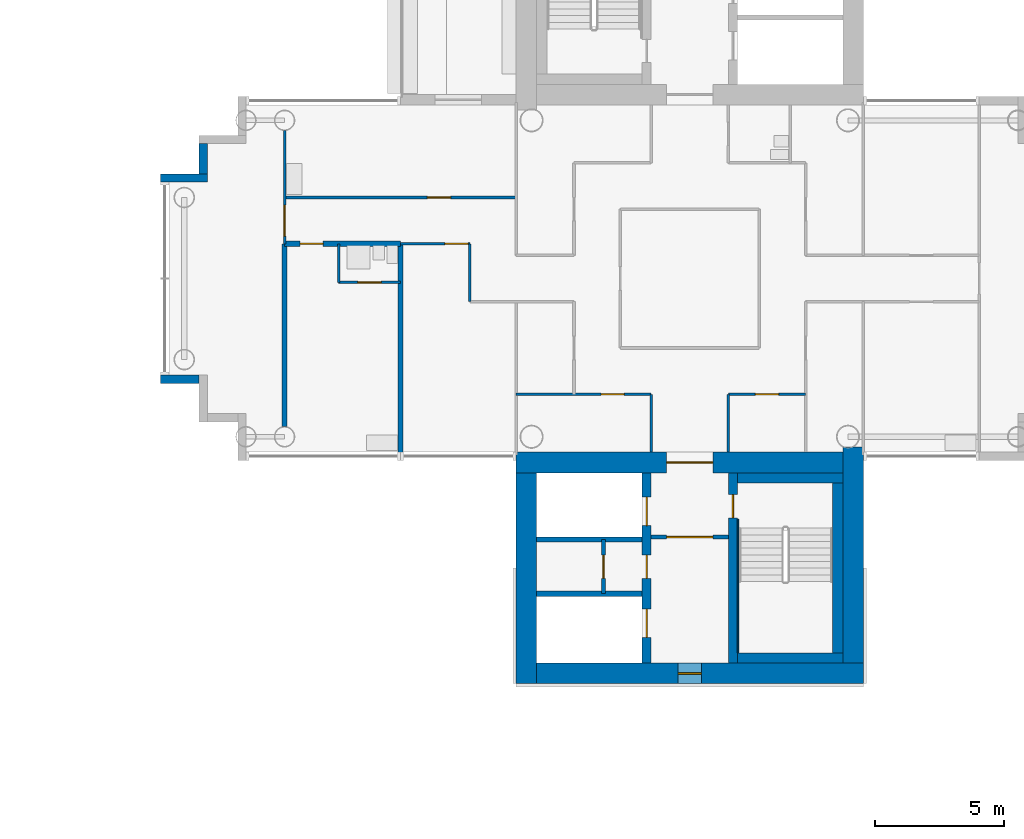
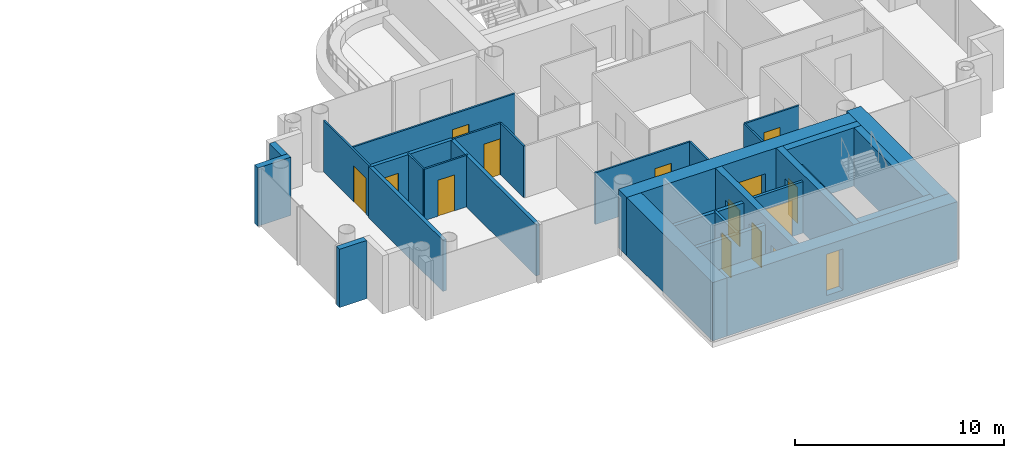
# One storey, part 10 of 19: 30 walls, 14 doors, 1 window, 15 openings.
"""IFC4 building model written with IfcOpenShell, lengths in metres."""

from ifc_helpers import new_model, si_unit, direction, frame, frame_2d, origin, place, context, subcontext, project, spatial, rectangle, extrude, material, layer, layer_set, type_object, element, fill, save


model = new_model("IFC4")

# Units and contexts
model_context = context("Model", 3, precision=1e-05, world=origin(), true_north=direction((0.0, 1.0)))
body_context = subcontext(model_context, "Body", "Model", "MODEL_VIEW")
ifc_project = project(units=[si_unit("LENGTHUNIT", "METRE"), si_unit("AREAUNIT", "SQUARE_METRE"), si_unit("VOLUMEUNIT", "CUBIC_METRE"), si_unit("PLANEANGLEUNIT", "RADIAN"), si_unit("MASSUNIT", "GRAM", prefix="KILO")], contexts=[model_context])

# Site, building, storey
site_placement = place(None, origin())
site = spatial("IfcSite", under=ifc_project, at=site_placement, CompositionType="ELEMENT")
building_placement = place(site_placement, origin())
building = spatial("IfcBuilding", under=site, at=building_placement, Name="Ipe Terrace Towers", CompositionType="ELEMENT")
storey_placement = place(building_placement, frame((0.0, 0.0, 140.5)))
storey = spatial("IfcBuildingStorey", under=building, at=storey_placement, Name="L38", CompositionType="ELEMENT", Elevation=140.5)

# Walls
ifc_material_1 = material(Name="Concrete C40/50 with buff precast cladding", Category="concrete")
ifc_layer_1 = layer(ifc_material_1, 0.320068359375)
ifc_layer_set_1 = layer_set([ifc_layer_1], Name="BUFF CLADDING WALL 320")
wall_type_1 = type_object("IfcWallType", Name="BUFF CLADDING WALL 320", PredefinedType="STANDARD", material=ifc_layer_set_1)
wall_1_placement = place(storey_placement, frame((17.090087890625, 5.25, -0.300048828125), z_axis=(0.0, 0.0, 1.0), x_axis=(0.0, -1.0, 0.0)))
element("IfcWall", 1, at=wall_1_placement, inside=storey, type_object=wall_type_1, Name="T2-W-L38-32a wall", PredefinedType="STANDARD", context=body_context, shape_type="SweptSolid", body=[
    extrude(rectangle(XDim=1.179931640625, YDim=0.320068359375, at=frame_2d((0.58984375, 0.0))), origin(), (0.0, 0.0, 1.0), 3.400146484375),
])
wall_2_placement = place(storey_placement, frame((17.25, 3.909912109375, -0.300048828125), z_axis=(0.0, 0.0, 1.0), x_axis=(-1.0, 0.0, 0.0)))
element("IfcWall", 2, at=wall_2_placement, inside=storey, type_object=wall_type_1, Name="T2-W-L38-33a wall", PredefinedType="STANDARD", context=body_context, shape_type="SweptSolid", body=[
    extrude(rectangle(XDim=1.820068359375, YDim=0.320068359375, at=frame_2d((0.91015625, 0.0))), origin(), (0.0, 0.0, 1.0), 3.400146484375),
])
wall_3_placement = place(storey_placement, frame((15.429931640625, -3.909912109375, -0.300048828125), z_axis=(0.0, 0.0, 1.0), x_axis=(1.0, 0.0, 0.0)))
element("IfcWall", 3, at=wall_3_placement, inside=storey, type_object=wall_type_1, Name="T2-W-L38-35a wall", PredefinedType="STANDARD", context=body_context, shape_type="SweptSolid", body=[
    extrude(rectangle(XDim=1.5, YDim=0.320068359375, at=frame_2d((0.75, 0.0))), origin(), (0.0, 0.0, 1.0), 3.400146484375),
])

# Wall, opening, door
ifc_material_2 = material(Name="Gypsum board partition", Category="plasterboard")
ifc_layer_2 = layer(ifc_material_2, 0.10009765625)
ifc_layer_set_2 = layer_set([ifc_layer_2], Name="Gypsum board partition 100 mm")
wall_type_2 = type_object("IfcWallType", Name="Gypsum board partition 100 mm", PredefinedType="PARTITIONING", material=ifc_layer_set_2)
wall_4_placement = place(storey_placement, frame((40.5, -4.5, 0.0), z_axis=(0.0, 0.0, 1.0), x_axis=(-1.0, 0.0, 0.0)))
wall_4 = element("IfcWall", 4, at=wall_4_placement, inside=storey, type_object=wall_type_2, Name="Gypsum board partition T2 L38 W01", PredefinedType="PARTITIONING", context=body_context, shape_type="SweptSolid", body=[
    extrude(rectangle(XDim=3.0, YDim=0.10009765625, at=frame_2d((1.5, 0.0))), origin(), (0.0, 0.0, 1.0), 3.0),
])
opening_1_placement = place(wall_4_placement, frame((1.050048828125, 0.0, 0.0)))
opening_1 = element("IfcOpeningElement", 5, at=opening_1_placement, cuts=wall_4, Name="Opening T2-Z3A-07", PredefinedType="OPENING", context=body_context, shape_type="SweptSolid", body=[
    extrude(rectangle(XDim=0.89990234375, YDim=2.10009765625, at=frame_2d((0.449951171875, 1.050048828125))), frame((0.0, 0.06005859375, 0.0), z_axis=(0.0, -1.0, 0.0), x_axis=(1.0, 0.0, 0.0)), (0.0, 0.0, 1.0), 0.1201171875),
])
ifc_material_3 = material(Name="Timber door leaf", Category="wood")
door_type_1 = type_object("IfcDoorType", Name="Lounge door 900 x 2100", OperationType="NOTDEFINED", PredefinedType="DOOR", material=ifc_material_3)
door_1_placement = place(opening_1_placement, origin())
door_1 = element("IfcDoor", 6, at=door_1_placement, inside=storey, type_object=door_type_1, Name="Lounge door T2-Z3A-07", OperationType="SINGLE_SWING_LEFT", OverallHeight=2.10009765625, OverallWidth=0.89990234375, PredefinedType="DOOR", context=body_context, shape_type="SweptSolid", body=[
    extrude(rectangle(XDim=0.89990234375, YDim=2.10009765625, at=frame_2d((0.449951171875, 1.050048828125))), frame((0.0, 0.02490234375, 0.0), z_axis=(0.0, -1.0, 0.0), x_axis=(1.0, 0.0, 0.0)), (0.0, 0.0, 1.0), 0.050048828125),
])
fill(opening_1, door_1)

wall_5_placement = place(storey_placement, frame((34.5, -4.5, 0.0), z_axis=(0.0, 0.0, 1.0), x_axis=(-1.0, 0.0, 0.0)))
wall_5 = element("IfcWall", 7, at=wall_5_placement, inside=storey, type_object=wall_type_2, Name="Gypsum board partition T2 L38 W02", PredefinedType="PARTITIONING", context=body_context, shape_type="SweptSolid", body=[
    extrude(rectangle(XDim=5.25, YDim=0.10009765625, at=frame_2d((2.625, 0.0))), origin(), (0.0, 0.0, 1.0), 3.0),
])
opening_2_placement = place(wall_5_placement, frame((1.050048828125, 0.0, 0.0)))
opening_2 = element("IfcOpeningElement", 8, at=opening_2_placement, cuts=wall_5, Name="Opening T2-Z3A-05", PredefinedType="OPENING", context=body_context, shape_type="SweptSolid", body=[
    extrude(rectangle(XDim=0.89990234375, YDim=2.10009765625, at=frame_2d((0.449951171875, 1.050048828125))), frame((0.0, 0.06005859375, 0.0), z_axis=(0.0, -1.0, 0.0), x_axis=(1.0, 0.0, 0.0)), (0.0, 0.0, 1.0), 0.1201171875),
])
door_2_placement = place(opening_2_placement, origin())
door_2 = element("IfcDoor", 9, at=door_2_placement, inside=storey, type_object=door_type_1, Name="Lounge door T2-Z3A-05", OperationType="SINGLE_SWING_RIGHT", OverallHeight=2.10009765625, OverallWidth=0.89990234375, PredefinedType="DOOR", context=body_context, shape_type="SweptSolid", body=[
    extrude(rectangle(XDim=0.89990234375, YDim=2.10009765625, at=frame_2d((0.449951171875, 1.050048828125))), frame((0.0, 0.02490234375, 0.0), z_axis=(0.0, -1.0, 0.0), x_axis=(1.0, 0.0, 0.0)), (0.0, 0.0, 1.0), 0.050048828125),
])
fill(opening_2, door_2)

wall_6_placement = place(storey_placement, frame((24.75, -0.14990234375, 0.0), z_axis=(0.0, 0.0, 1.0), x_axis=(-1.0, 0.0, 0.0)))
wall_6 = element("IfcWall", 10, at=wall_6_placement, inside=storey, type_object=wall_type_2, Name="Gypsum board partition T2 L38 W06", PredefinedType="PARTITIONING", context=body_context, shape_type="SweptSolid", body=[
    extrude(rectangle(XDim=2.39990234375, YDim=0.10009765625, at=frame_2d((1.199951171875, 0.0))), origin(), (0.0, 0.0, 1.0), 3.0),
])
opening_3_placement = place(wall_6_placement, frame((0.75, 0.0, 0.0)))
opening_3 = element("IfcOpeningElement", 11, at=opening_3_placement, cuts=wall_6, Name="Opening T2-Z3A-11", PredefinedType="OPENING", context=body_context, shape_type="SweptSolid", body=[
    extrude(rectangle(XDim=0.89990234375, YDim=2.10009765625, at=frame_2d((0.449951171875, 1.050048828125))), frame((0.0, 0.06005859375, 0.0), z_axis=(0.0, -1.0, 0.0), x_axis=(1.0, 0.0, 0.0)), (0.0, 0.0, 1.0), 0.1201171875),
])
ifc_material_4 = material(Name="Timber door leaf", Category="wood")
door_type_2 = type_object("IfcDoorType", Name="Bathroom door 900 x 2100", OperationType="NOTDEFINED", PredefinedType="DOOR", material=ifc_material_4)
door_3_placement = place(opening_3_placement, origin())
door_3 = element("IfcDoor", 12, at=door_3_placement, inside=storey, type_object=door_type_2, Name="Bathroom door T2-Z3A-11", OperationType="SINGLE_SWING_LEFT", OverallHeight=2.10009765625, OverallWidth=0.89990234375, PredefinedType="DOOR", context=body_context, shape_type="SweptSolid", body=[
    extrude(rectangle(XDim=0.89990234375, YDim=2.10009765625, at=frame_2d((0.449951171875, 1.050048828125))), frame((0.0, 0.02490234375, 0.0), z_axis=(0.0, -1.0, 0.0), x_axis=(1.0, 0.0, 0.0)), (0.0, 0.0, 1.0), 0.050048828125),
])
fill(opening_3, door_3)

wall_7_placement = place(storey_placement, frame((27.449951171875, 1.35009765625, 0.0), z_axis=(0.0, 0.0, 1.0), x_axis=(-1.0, 0.0, 0.0)))
wall_7 = element("IfcWall", 13, at=wall_7_placement, inside=storey, type_object=wall_type_2, Name="Gypsum board partition T2 L38 W09", PredefinedType="PARTITIONING", context=body_context, shape_type="SweptSolid", body=[
    extrude(rectangle(XDim=2.699951171875, YDim=0.10009765625, at=frame_2d((1.35009765625, 0.0))), origin(), (0.0, 0.0, 1.0), 3.0),
])
opening_4_placement = place(wall_7_placement, frame((0.070068359375, 0.0, 0.0)))
opening_4 = element("IfcOpeningElement", 14, at=opening_4_placement, cuts=wall_7, Name="Opening T2-Z3A-09", PredefinedType="OPENING", context=body_context, shape_type="SweptSolid", body=[
    extrude(rectangle(XDim=0.89990234375, YDim=2.10009765625, at=frame_2d((0.449951171875, 1.050048828125))), frame((0.0, 0.06005859375, 0.0), z_axis=(0.0, -1.0, 0.0), x_axis=(1.0, 0.0, 0.0)), (0.0, 0.0, 1.0), 0.1201171875),
])
door_4_placement = place(opening_4_placement, origin())
door_4 = element("IfcDoor", 15, at=door_4_placement, inside=storey, type_object=door_type_1, Name="Lounge door T2-Z3A-09", OperationType="SINGLE_SWING_RIGHT", OverallHeight=2.10009765625, OverallWidth=0.89990234375, PredefinedType="DOOR", context=body_context, shape_type="SweptSolid", body=[
    extrude(rectangle(XDim=0.89990234375, YDim=2.10009765625, at=frame_2d((0.449951171875, 1.050048828125))), frame((0.0, 0.02490234375, 0.0), z_axis=(0.0, -1.0, 0.0), x_axis=(1.0, 0.0, 0.0)), (0.0, 0.0, 1.0), 0.050048828125),
])
fill(opening_4, door_4)

wall_8_placement = place(storey_placement, frame((29.25, 3.14990234375, 0.0), z_axis=(0.0, 0.0, 1.0), x_axis=(-1.0, 0.0, 0.0)))
wall_8 = element("IfcWall", 16, at=wall_8_placement, inside=storey, type_object=wall_type_2, Name="Gypsum board partition T2 L38 W12", PredefinedType="PARTITIONING", context=body_context, shape_type="SweptSolid", body=[
    extrude(rectangle(XDim=9.0, YDim=0.10009765625, at=frame_2d((4.5, 0.0))), origin(), (0.0, 0.0, 1.0), 3.0),
])
opening_5_placement = place(wall_8_placement, frame((2.550048828125, 0.0, 0.0)))
opening_5 = element("IfcOpeningElement", 17, at=opening_5_placement, cuts=wall_8, Name="Opening T2-Z3A-12", PredefinedType="OPENING", context=body_context, shape_type="SweptSolid", body=[
    extrude(rectangle(XDim=0.89990234375, YDim=2.10009765625, at=frame_2d((0.449951171875, 1.050048828125))), frame((0.0, 0.06005859375, 0.0), z_axis=(0.0, -1.0, 0.0), x_axis=(1.0, 0.0, 0.0)), (0.0, 0.0, 1.0), 0.1201171875),
])
door_5_placement = place(opening_5_placement, origin())
door_5 = element("IfcDoor", 18, at=door_5_placement, inside=storey, type_object=door_type_1, Name="Lounge door T2-Z3A-12", OperationType="SINGLE_SWING_LEFT", OverallHeight=2.10009765625, OverallWidth=0.89990234375, PredefinedType="DOOR", context=body_context, shape_type="SweptSolid", body=[
    extrude(rectangle(XDim=0.89990234375, YDim=2.10009765625, at=frame_2d((0.449951171875, 1.050048828125))), frame((0.0, 0.02490234375, 0.0), z_axis=(0.0, -1.0, 0.0), x_axis=(1.0, 0.0, 0.0)), (0.0, 0.0, 1.0), 0.050048828125),
])
fill(opening_5, door_5)

# Walls
for number, where, z_axis, x_axis, name in (
    (19, (37.5, -6.75, 0.0), (0.0, 0.0, 1.0), (0.0, 1.0, 0.0), "Gypsum board partition T2 L38 W25"),
    (20, (34.5, -6.75, 0.0), (0.0, 0.0, 1.0), (0.0, 1.0, 0.0), "Gypsum board partition T2 L38 W29"),
    (21, (27.449951171875, -0.89990234375, 0.0), (0.0, 0.0, 1.0), (0.0, 1.0, 0.0), "Gypsum board partition T2 L38 W38"),
):
    element("IfcWall", number, at=place(storey_placement, frame(where, z_axis=z_axis, x_axis=x_axis)), inside=storey, type_object=wall_type_2, Name=name, PredefinedType="PARTITIONING", context=body_context, shape_type="SweptSolid", body=[
        extrude(rectangle(XDim=2.25, YDim=0.10009765625, at=frame_2d((1.125, 0.0))), origin(), (0.0, 0.0, 1.0), 3.0),
    ])
wall_9_placement = place(storey_placement, frame((22.35009765625, -0.14990234375, 0.0), z_axis=(0.0, 0.0, 1.0), x_axis=(0.0, 1.0, 0.0)))
element("IfcWall", 22, at=wall_9_placement, inside=storey, type_object=wall_type_2, Name="Gypsum board partition T2 L38 W40", PredefinedType="PARTITIONING", context=body_context, shape_type="SweptSolid", body=[
    extrude(rectangle(XDim=1.5, YDim=0.10009765625, at=frame_2d((0.75, 0.0))), origin(), (0.0, 0.0, 1.0), 3.0),
])

# Wall, opening, door
wall_10_placement = place(storey_placement, frame((20.25, 1.35009765625, 0.0), z_axis=(0.0, 0.0, 1.0), x_axis=(0.0, 1.0, 0.0)))
wall_10 = element("IfcWall", 23, at=wall_10_placement, inside=storey, type_object=wall_type_2, Name="Gypsum board partition T2 L38 W41", PredefinedType="PARTITIONING", context=body_context, shape_type="SweptSolid", body=[
    extrude(rectangle(XDim=4.39990234375, YDim=0.10009765625, at=frame_2d((2.199951171875, 0.0))), origin(), (0.0, 0.0, 1.0), 3.0),
])
opening_6_placement = place(wall_10_placement, frame((0.300048828125, 0.0, 0.0)))
opening_6 = element("IfcOpeningElement", 24, at=opening_6_placement, cuts=wall_10, Name="Opening T2-Z3A-13", PredefinedType="OPENING", context=body_context, shape_type="SweptSolid", body=[
    extrude(rectangle(XDim=1.199951171875, YDim=2.10009765625, at=frame_2d((0.60009765625, 1.050048828125))), frame((0.0, 0.06005859375, 0.0), z_axis=(0.0, -1.0, 0.0), x_axis=(1.0, 0.0, 0.0)), (0.0, 0.0, 1.0), 0.1201171875),
])
ifc_material_5 = material(Name="Timber door leaf", Category="wood")
door_type_3 = type_object("IfcDoorType", Name="Lounge door 1200 x 2100", OperationType="NOTDEFINED", PredefinedType="DOOR", material=ifc_material_5)
door_6_placement = place(opening_6_placement, origin())
door_6 = element("IfcDoor", 25, at=door_6_placement, inside=storey, type_object=door_type_3, Name="Lounge door T2-Z3A-13", OperationType="SINGLE_SWING_RIGHT", OverallHeight=2.10009765625, OverallWidth=1.199951171875, PredefinedType="DOOR", context=body_context, shape_type="SweptSolid", body=[
    extrude(rectangle(XDim=1.199951171875, YDim=2.10009765625, at=frame_2d((0.60009765625, 1.050048828125))), frame((0.0, 0.02490234375, 0.0), z_axis=(0.0, -1.0, 0.0), x_axis=(1.0, 0.0, 0.0)), (0.0, 0.0, 1.0), 0.050048828125),
])
fill(opening_6, door_6)

ifc_material_6 = material(Name="Gypsum board partition", Category="plasterboard")
ifc_layer_3 = layer(ifc_material_6, 0.14990234375)
ifc_layer_set_3 = layer_set([ifc_layer_3], Name="Gypsum board partition 150 mm")
wall_type_3 = type_object("IfcWallType", Name="Gypsum board partition 150 mm", PredefinedType="PARTITIONING", material=ifc_layer_set_3)
wall_11_placement = place(storey_placement, frame((34.5, -10.050048828125, 0.0), z_axis=(0.0, 0.0, 1.0), x_axis=(1.0, 0.0, 0.0)))
wall_11 = element("IfcWall", 26, at=wall_11_placement, inside=storey, type_object=wall_type_3, Name="Gypsum board partition T2 L38 t2c2-lobby-wall", PredefinedType="PARTITIONING", context=body_context, shape_type="SweptSolid", body=[
    extrude(rectangle(XDim=3.0, YDim=0.14990234375, at=frame_2d((1.5, 0.0))), origin(), (0.0, 0.0, 1.0), 3.0),
])
opening_7_placement = place(wall_11_placement, frame((0.60009765625, 0.0, 0.0)))
opening_7 = element("IfcOpeningElement", 27, at=opening_7_placement, cuts=wall_11, Name="Opening T2C2-VD", PredefinedType="OPENING", context=body_context, shape_type="SweptSolid", body=[
    extrude(rectangle(XDim=1.800048828125, YDim=2.10009765625, at=frame_2d((0.89990234375, 1.050048828125))), frame((0.0, 0.0849609375, 0.0), z_axis=(0.0, -1.0, 0.0), x_axis=(1.0, 0.0, 0.0)), (0.0, 0.0, 1.0), 0.169921875),
])
ifc_material_7 = material(Name="Fire-rated timber door leaf", Category="wood")
door_type_4 = type_object("IfcDoorType", Name="Lobby door 1800 x 2100 FD60", OperationType="NOTDEFINED", PredefinedType="DOOR", material=ifc_material_7)
door_7_placement = place(opening_7_placement, origin())
door_7 = element("IfcDoor", 28, at=door_7_placement, inside=storey, type_object=door_type_4, Name="Lobby door T2C2-VD", OperationType="SINGLE_SWING_LEFT", OverallHeight=2.10009765625, OverallWidth=1.800048828125, PredefinedType="DOOR", context=body_context, shape_type="SweptSolid", body=[
    extrude(rectangle(XDim=1.800048828125, YDim=2.10009765625, at=frame_2d((0.89990234375, 1.050048828125))), frame((0.0, 0.02490234375, 0.0), z_axis=(0.0, -1.0, 0.0), x_axis=(1.0, 0.0, 0.0)), (0.0, 0.0, 1.0), 0.050048828125),
])
fill(opening_7, door_7)

wall_12_placement = place(storey_placement, frame((32.64990234375, -10.14990234375, 0.0), z_axis=(0.0, 0.0, 1.0), x_axis=(0.0, -1.0, 0.0)))
wall_12 = element("IfcWall", 29, at=wall_12_placement, inside=storey, type_object=wall_type_3, Name="Gypsum board partition T2 L38 t2c2-q-back", PredefinedType="PARTITIONING", context=body_context, shape_type="SweptSolid", body=[
    extrude(rectangle(XDim=2.10009765625, YDim=0.14990234375, at=frame_2d((1.050048828125, 0.0))), origin(), (0.0, 0.0, 1.0), 3.0),
])
opening_8_placement = place(wall_12_placement, frame((0.60009765625, 0.0, 0.0)))
opening_8 = element("IfcOpeningElement", 30, at=opening_8_placement, cuts=wall_12, Name="Opening T2C2-RB", PredefinedType="OPENING", context=body_context, shape_type="SweptSolid", body=[
    extrude(rectangle(XDim=0.89990234375, YDim=2.10009765625, at=frame_2d((0.449951171875, 1.050048828125))), frame((0.0, 0.0849609375, 0.0), z_axis=(0.0, -1.0, 0.0), x_axis=(1.0, 0.0, 0.0)), (0.0, 0.0, 1.0), 0.169921875),
])
ifc_material_8 = material(Name="Fire-rated timber door leaf", Category="wood")
door_type_5 = type_object("IfcDoorType", Name="Service door 900 x 2100 FD60", OperationType="NOTDEFINED", PredefinedType="DOOR", material=ifc_material_8)
door_8_placement = place(opening_8_placement, origin())
door_8 = element("IfcDoor", 31, at=door_8_placement, inside=storey, type_object=door_type_5, Name="Service door T2C2-RB", OperationType="SINGLE_SWING_LEFT", OverallHeight=2.10009765625, OverallWidth=0.89990234375, PredefinedType="DOOR", context=body_context, shape_type="SweptSolid", body=[
    extrude(rectangle(XDim=0.89990234375, YDim=2.10009765625, at=frame_2d((0.449951171875, 1.050048828125))), frame((0.0, 0.02490234375, 0.0), z_axis=(0.0, -1.0, 0.0), x_axis=(1.0, 0.0, 0.0)), (0.0, 0.0, 1.0), 0.050048828125),
])
fill(opening_8, door_8)

# Walls
ifc_material_9 = material(Name="Gypsum board party wall", Category="plasterboard")
ifc_layer_4 = layer(ifc_material_9, 0.199951171875)
ifc_layer_set_4 = layer_set([ifc_layer_4], Name="Gypsum board party wall 200 mm")
wall_type_4 = type_object("IfcWallType", Name="Gypsum board party wall 200 mm", PredefinedType="SOLIDWALL", material=ifc_layer_set_4)
for number, where, z_axis, x_axis, name in (
    (32, (30.050048828125, -12.25, 0.0), (0.0, 0.0, 1.0), (1.0, 0.0, 0.0), "Gypsum board party wall T2 L38 t2c2-shaft-div2"),
    (33, (30.050048828125, -10.14990234375, 0.0), (0.0, 0.0, 1.0), (1.0, 0.0, 0.0), "Gypsum board party wall T2 L38 t2c2-shaft-div1"),
):
    element("IfcWall", number, at=place(storey_placement, frame(where, z_axis=z_axis, x_axis=x_axis)), inside=storey, type_object=wall_type_4, Name=name, PredefinedType="SOLIDWALL", context=body_context, shape_type="SweptSolid", body=[
        extrude(rectangle(XDim=4.099853515625, YDim=0.199951171875, at=frame_2d((2.0498046875, 0.0))), origin(), (0.0, 0.0, 1.0), 3.0),
    ])

# Wall, opening, door
wall_13_placement = place(storey_placement, frame((24.75, 1.35009765625, 0.0), z_axis=(0.0, 0.0, 1.0), x_axis=(-1.0, 0.0, 0.0)))
wall_13 = element("IfcWall", 34, at=wall_13_placement, inside=storey, type_object=wall_type_4, Name="Gypsum board party wall T2 L38 W10", PredefinedType="SOLIDWALL", context=body_context, shape_type="SweptSolid", body=[
    extrude(rectangle(XDim=4.5, YDim=0.199951171875, at=frame_2d((2.25, 0.0))), origin(), (0.0, 0.0, 1.0), 3.0),
])
opening_9_placement = place(wall_13_placement, frame((3.0, 0.0, 0.0)))
opening_9 = element("IfcOpeningElement", 35, at=opening_9_placement, cuts=wall_13, Name="Opening T2-Z3A-10", PredefinedType="OPENING", context=body_context, shape_type="SweptSolid", body=[
    extrude(rectangle(XDim=0.89990234375, YDim=2.10009765625, at=frame_2d((0.449951171875, 1.050048828125))), frame((0.0, 0.10986328125, 0.0), z_axis=(0.0, -1.0, 0.0), x_axis=(1.0, 0.0, 0.0)), (0.0, 0.0, 1.0), 0.219970703125),
])
ifc_material_10 = material(Name="Fire-rated timber door leaf", Category="wood")
door_type_6 = type_object("IfcDoorType", Name="Flat entrance door 900 x 2100 FD30S", OperationType="NOTDEFINED", PredefinedType="DOOR", material=ifc_material_10)
door_9_placement = place(opening_9_placement, origin())
door_9 = element("IfcDoor", 36, at=door_9_placement, inside=storey, type_object=door_type_6, Name="Flat entrance door T2-Z3A-10", OperationType="SINGLE_SWING_LEFT", OverallHeight=2.10009765625, OverallWidth=0.89990234375, PredefinedType="DOOR", context=body_context, shape_type="SweptSolid", body=[
    extrude(rectangle(XDim=0.89990234375, YDim=2.10009765625, at=frame_2d((0.449951171875, 1.050048828125))), frame((0.0, 0.02490234375, 0.0), z_axis=(0.0, -1.0, 0.0), x_axis=(1.0, 0.0, 0.0)), (0.0, 0.0, 1.0), 0.050048828125),
])
fill(opening_9, door_9)

# Walls
wall_14_placement = place(storey_placement, frame((24.75, -6.85009765625, 0.0), z_axis=(0.0, 0.0, 1.0), x_axis=(0.0, 1.0, 0.0)))
element("IfcWall", 37, at=wall_14_placement, inside=storey, type_object=wall_type_4, Name="Gypsum board party wall T2 L38 W39", PredefinedType="SOLIDWALL", context=body_context, shape_type="SweptSolid", body=[
    extrude(rectangle(XDim=8.2001953125, YDim=0.199951171875, at=frame_2d((4.10009765625, 0.0))), origin(), (0.0, 0.0, 1.0), 3.0),
])
wall_15_placement = place(storey_placement, frame((20.25, -5.75, 0.0), z_axis=(0.0, 0.0, 1.0), x_axis=(0.0, 1.0, 0.0)))
element("IfcWall", 38, at=wall_15_placement, inside=storey, type_object=wall_type_4, Name="Gypsum board party wall T2 L38 W42", PredefinedType="SOLIDWALL", context=body_context, shape_type="SweptSolid", body=[
    extrude(rectangle(XDim=7.10009765625, YDim=0.199951171875, at=frame_2d((3.550048828125, 0.0))), origin(), (0.0, 0.0, 1.0), 3.0),
])

# Wall, openings, doors
ifc_material_11 = material(Name="Concrete C50/60", Category="concrete")
ifc_layer_5 = layer(ifc_material_11, 0.35009765625)
ifc_layer_set_5 = layer_set([ifc_layer_5], Name="RW350 CORE SPINE WALL 350 C50-60")
wall_type_5 = type_object("IfcWallType", Name="RW350 CORE SPINE WALL 350 C50-60", PredefinedType="SHEAR", material=ifc_layer_set_5)
wall_16_placement = place(storey_placement, frame((34.324951171875, -14.949951171875, 0.0), z_axis=(0.0, 0.0, 1.0), x_axis=(0.0, 1.0, 0.0)))
wall_16 = element("IfcWall", 39, at=wall_16_placement, inside=storey, type_object=wall_type_5, Name="Core spine wall T2-C2-Z3-SW1", PredefinedType="SHEAR", context=body_context, shape_type="SweptSolid", body=[
    extrude(rectangle(XDim=7.39990234375, YDim=0.35009765625, at=frame_2d((3.699951171875, 0.0))), origin(), (0.0, 0.0, 1.0), 3.39990234375),
])
opening_10_placement = place(wall_16_placement, frame((5.35009765625, 0.0, 0.0)))
opening_10 = element("IfcOpeningElement", 40, at=opening_10_placement, cuts=wall_16, Name="Opening T2C2-LD1", PredefinedType="OPENING", context=body_context, shape_type="SweptSolid", body=[
    extrude(rectangle(XDim=1.10009765625, YDim=2.10009765625, at=frame_2d((0.550048828125, 1.050048828125))), frame((0.0, 0.18505859375, 0.0), z_axis=(0.0, -1.0, 0.0), x_axis=(1.0, 0.0, 0.0)), (0.0, 0.0, 1.0), 0.3701171875),
])
opening_11_placement = place(wall_16_placement, frame((1.0, 0.0, 0.0)))
opening_11 = element("IfcOpeningElement", 41, at=opening_11_placement, cuts=wall_16, Name="Opening T2C2-LD3", PredefinedType="OPENING", context=body_context, shape_type="SweptSolid", body=[
    extrude(rectangle(XDim=1.10009765625, YDim=2.10009765625, at=frame_2d((0.550048828125, 1.050048828125))), frame((0.0, 0.18505859375, 0.0), z_axis=(0.0, -1.0, 0.0), x_axis=(1.0, 0.0, 0.0)), (0.0, 0.0, 1.0), 0.3701171875),
])
opening_12_placement = place(wall_16_placement, frame((3.300048828125, 0.0, 0.0)))
opening_12 = element("IfcOpeningElement", 42, at=opening_12_placement, cuts=wall_16, Name="Opening T2C2-R1", PredefinedType="OPENING", context=body_context, shape_type="SweptSolid", body=[
    extrude(rectangle(XDim=0.89990234375, YDim=2.10009765625, at=frame_2d((0.449951171875, 1.050048828125))), frame((0.0, 0.18505859375, 0.0), z_axis=(0.0, -1.0, 0.0), x_axis=(1.0, 0.0, 0.0)), (0.0, 0.0, 1.0), 0.3701171875),
])
ifc_material_12 = material(Name="Fire-rated timber door leaf", Category="wood")
door_type_7 = type_object("IfcDoorType", Name="Sliding door 1100 x 2100 FD60", OperationType="SLIDING_TO_LEFT", PredefinedType="DOOR", material=ifc_material_12)
door_10_placement = place(opening_10_placement, origin())
door_10 = element("IfcDoor", 43, at=door_10_placement, inside=storey, type_object=door_type_7, Name="Sliding door T2C2-LD1", OperationType="SLIDING_TO_LEFT", OverallHeight=2.10009765625, OverallWidth=1.10009765625, PredefinedType="DOOR", context=body_context, shape_type="SweptSolid", body=[
    extrude(rectangle(XDim=1.10009765625, YDim=2.10009765625, at=frame_2d((0.550048828125, 1.050048828125))), frame((0.0, 0.02490234375, 0.0), z_axis=(0.0, -1.0, 0.0), x_axis=(1.0, 0.0, 0.0)), (0.0, 0.0, 1.0), 0.050048828125),
])
fill(opening_10, door_10)
door_11_placement = place(opening_11_placement, origin())
door_11 = element("IfcDoor", 44, at=door_11_placement, inside=storey, type_object=door_type_7, Name="Sliding door T2C2-LD3", OperationType="SLIDING_TO_LEFT", OverallHeight=2.10009765625, OverallWidth=1.10009765625, PredefinedType="DOOR", context=body_context, shape_type="SweptSolid", body=[
    extrude(rectangle(XDim=1.10009765625, YDim=2.10009765625, at=frame_2d((0.550048828125, 1.050048828125))), frame((0.0, 0.02490234375, 0.0), z_axis=(0.0, -1.0, 0.0), x_axis=(1.0, 0.0, 0.0)), (0.0, 0.0, 1.0), 0.050048828125),
])
fill(opening_11, door_11)
ifc_material_13 = material(Name="Timber door leaf", Category="wood")
door_type_8 = type_object("IfcDoorType", Name="Store door 900 x 2100", OperationType="NOTDEFINED", PredefinedType="DOOR", material=ifc_material_13)
door_12_placement = place(opening_12_placement, origin())
door_12 = element("IfcDoor", 45, at=door_12_placement, inside=storey, type_object=door_type_8, Name="Store door T2C2-R1", OperationType="SINGLE_SWING_LEFT", OverallHeight=2.10009765625, OverallWidth=0.89990234375, PredefinedType="DOOR", context=body_context, shape_type="SweptSolid", body=[
    extrude(rectangle(XDim=0.89990234375, YDim=2.10009765625, at=frame_2d((0.449951171875, 1.050048828125))), frame((0.0, 0.02490234375, 0.0), z_axis=(0.0, -1.0, 0.0), x_axis=(1.0, 0.0, 0.0)), (0.0, 0.0, 1.0), 0.050048828125),
])
fill(opening_12, door_12)

# Wall, opening, door
wall_17_placement = place(storey_placement, frame((37.675048828125, -14.949951171875, 0.0), z_axis=(0.0, 0.0, 1.0), x_axis=(0.0, 1.0, 0.0)))
wall_17 = element("IfcWall", 46, at=wall_17_placement, inside=storey, type_object=wall_type_5, Name="Core spine wall T2-C2-Z3-SW2", PredefinedType="SHEAR", context=body_context, shape_type="SweptSolid", body=[
    extrude(rectangle(XDim=7.39990234375, YDim=0.35009765625, at=frame_2d((3.699951171875, 0.0))), origin(), (0.0, 0.0, 1.0), 3.39990234375),
])
opening_13_placement = place(wall_17_placement, frame((5.64990234375, 0.0, 0.0)))
opening_13 = element("IfcOpeningElement", 47, at=opening_13_placement, cuts=wall_17, Name="Opening T2C2-SD", PredefinedType="OPENING", context=body_context, shape_type="SweptSolid", body=[
    extrude(rectangle(XDim=0.89990234375, YDim=2.10009765625, at=frame_2d((0.449951171875, 1.050048828125))), frame((0.0, 0.18505859375, 0.0), z_axis=(0.0, -1.0, 0.0), x_axis=(1.0, 0.0, 0.0)), (0.0, 0.0, 1.0), 0.3701171875),
])
ifc_material_14 = material(Name="Fire-rated timber door leaf", Category="wood")
door_type_9 = type_object("IfcDoorType", Name="Stair door 900 x 2100 FD60", OperationType="NOTDEFINED", PredefinedType="DOOR", material=ifc_material_14)
door_13_placement = place(opening_13_placement, origin())
door_13 = element("IfcDoor", 48, at=door_13_placement, inside=storey, type_object=door_type_9, Name="Stair door T2C2-SD", OperationType="SINGLE_SWING_RIGHT", OverallHeight=2.10009765625, OverallWidth=0.89990234375, PredefinedType="DOOR", context=body_context, shape_type="SweptSolid", body=[
    extrude(rectangle(XDim=0.89990234375, YDim=2.10009765625, at=frame_2d((0.449951171875, 1.050048828125))), frame((0.0, 0.02490234375, 0.0), z_axis=(0.0, -1.0, 0.0), x_axis=(1.0, 0.0, 0.0)), (0.0, 0.0, 1.0), 0.050048828125),
])
fill(opening_13, door_13)

# Walls
ifc_material_15 = material(Name="Concrete C50/60", Category="concrete")
ifc_layer_6 = layer(ifc_material_15, 0.39990234375)
ifc_layer_set_6 = layer_set([ifc_layer_6], Name="RW400 CORE INFILL WALL 400 C50-60")
wall_type_6 = type_object("IfcWallType", Name="RW400 CORE INFILL WALL 400 C50-60", PredefinedType="SHEAR", material=ifc_layer_set_6)
wall_18_placement = place(storey_placement, frame((37.85009765625, -14.75, 0.0), z_axis=(0.0, 0.0, 1.0), x_axis=(1.0, 0.0, 0.0)))
element("IfcWall", 49, at=wall_18_placement, inside=storey, type_object=wall_type_6, Name="Core infill wall T2-C2-far", PredefinedType="SHEAR", context=body_context, shape_type="SweptSolid", body=[
    extrude(rectangle(XDim=4.099853515625, YDim=0.39990234375, at=frame_2d((2.0498046875, 0.0))), origin(), (0.0, 0.0, 1.0), 3.39990234375),
])
wall_19_placement = place(storey_placement, frame((41.75, -7.949951171875, 0.0), z_axis=(0.0, 0.0, 1.0), x_axis=(0.0, -1.0, 0.0)))
element("IfcWall", 50, at=wall_19_placement, inside=storey, type_object=wall_type_6, Name="Core infill wall T2-C2-back", PredefinedType="SHEAR", context=body_context, shape_type="SweptSolid", body=[
    extrude(rectangle(XDim=6.60009765625, YDim=0.39990234375, at=frame_2d((3.300048828125, 0.0))), origin(), (0.0, 0.0, 1.0), 3.39990234375),
])
wall_20_placement = place(storey_placement, frame((37.85009765625, -7.75, 0.0), z_axis=(0.0, 0.0, 1.0), x_axis=(1.0, 0.0, 0.0)))
element("IfcWall", 51, at=wall_20_placement, inside=storey, type_object=wall_type_6, Name="Core infill wall T2-C2-near", PredefinedType="SHEAR", context=body_context, shape_type="SweptSolid", body=[
    extrude(rectangle(XDim=4.099853515625, YDim=0.39990234375, at=frame_2d((2.0498046875, 0.0))), origin(), (0.0, 0.0, 1.0), 3.39990234375),
])
ifc_material_16 = material(Name="Concrete C50/60", Category="concrete")
ifc_layer_7 = layer(ifc_material_16, 0.050048828125)
ifc_layer_set_7 = layer_set([ifc_layer_7], Name="RW50 CORE INFILL WALL 50 C50-60")
wall_type_7 = type_object("IfcWallType", Name="RW50 CORE INFILL WALL 50 C50-60", PredefinedType="SHEAR", material=ifc_layer_set_7)
wall_21_placement = place(storey_placement, frame((37.875, -9.35009765625, 0.0), z_axis=(0.0, 0.0, 1.0), x_axis=(0.0, -1.0, 0.0)))
element("IfcWall", 52, at=wall_21_placement, inside=storey, type_object=wall_type_7, Name="Core infill wall T2-C2-spine-b", PredefinedType="SHEAR", context=body_context, shape_type="SweptSolid", body=[
    extrude(rectangle(XDim=5.199951171875, YDim=0.050048828125, at=frame_2d((2.60009765625, 0.0))), origin(), (0.0, 0.0, 1.0), 3.39990234375),
])

# Wall, opening, window
ifc_material_17 = material(Name="Concrete C50/60", Category="concrete")
ifc_layer_8 = layer(ifc_material_17, 0.800048828125)
ifc_layer_set_8 = layer_set([ifc_layer_8], Name="RW800 CORE WALL 800 C50-60")
wall_type_8 = type_object("IfcWallType", Name="RW800 CORE WALL 800 C50-60", PredefinedType="SHEAR", material=ifc_layer_set_8)
wall_22_placement = place(storey_placement, frame((30.050048828125, -15.35009765625, 0.0), z_axis=(0.0, 0.0, 1.0), x_axis=(1.0, 0.0, 0.0)))
wall_22 = element("IfcWall", 53, at=wall_22_placement, inside=storey, type_object=wall_type_8, Name="Core wall T2-C2-Z3-W01", PredefinedType="SHEAR", context=body_context, shape_type="SweptSolid", body=[
    extrude(rectangle(XDim=12.699951171875, YDim=0.800048828125, at=frame_2d((6.35009765625, 0.0))), origin(), (0.0, 0.0, 1.0), 3.39990234375),
])
opening_14_placement = place(wall_22_placement, frame((5.5, 0.0, 0.449951171875)))
opening_14 = element("IfcOpeningElement", 54, at=opening_14_placement, cuts=wall_22, Name="Opening T2-C2-W-01-L38", PredefinedType="OPENING", context=body_context, shape_type="SweptSolid", body=[
    extrude(rectangle(XDim=0.89990234375, YDim=2.39990234375, at=frame_2d((0.449951171875, 1.199951171875))), frame((0.0, 0.41015625, 0.0), z_axis=(0.0, -1.0, 0.0), x_axis=(1.0, 0.0, 0.0)), (0.0, 0.0, 1.0), 0.820068359375),
])
ifc_material_18 = material(Name="Fire-resistant glazing EI 60", Category="glass")
window_type = type_object("IfcWindowType", Name="CORRIDOR END SLOT WINDOW 900 x 2400 EI 60", PartitioningType="SINGLE_PANEL", PredefinedType="WINDOW", material=ifc_material_18)
window_placement = place(opening_14_placement, origin())
window = element("IfcWindow", 55, at=window_placement, inside=storey, type_object=window_type, Name="W-01 window", OverallHeight=2.39990234375, OverallWidth=0.89990234375, PartitioningType="SINGLE_PANEL", PredefinedType="WINDOW", context=body_context, shape_type="SweptSolid", body=[
    extrude(rectangle(XDim=0.89990234375, YDim=2.39990234375, at=frame_2d((0.449951171875, 1.199951171875))), frame((0.0, 0.030029296875, 0.0), z_axis=(0.0, -1.0, 0.0), x_axis=(1.0, 0.0, 0.0)), (0.0, 0.0, 1.0), 0.06005859375),
])
fill(opening_14, window)

# Wall
wall_23_placement = place(storey_placement, frame((42.35009765625, -14.949951171875, 0.0), z_axis=(0.0, 0.0, 1.0), x_axis=(0.0, 1.0, 0.0)))
element("IfcWall", 56, at=wall_23_placement, inside=storey, type_object=wall_type_8, Name="Core wall T2-C2-Z3-W02", PredefinedType="SHEAR", context=body_context, shape_type="SweptSolid", body=[
    extrude(rectangle(XDim=8.39794921875, YDim=0.800048828125, at=frame_2d((4.198974609375, 0.0))), origin(), (0.0, 0.0, 1.0), 3.39990234375),
])

# Wall, opening, door
wall_24_placement = place(storey_placement, frame((41.949951171875, -7.14990234375, 0.0), z_axis=(0.0, 0.0, 1.0), x_axis=(-1.0, 0.0, 0.0)))
wall_24 = element("IfcWall", 57, at=wall_24_placement, inside=storey, type_object=wall_type_8, Name="Core wall T2-C2-Z3-W03", PredefinedType="SHEAR", context=body_context, shape_type="SweptSolid", body=[
    extrude(rectangle(XDim=12.699951171875, YDim=0.800048828125, at=frame_2d((6.35009765625, 0.0))), origin(), (0.0, 0.0, 1.0), 3.39990234375),
])
opening_15_placement = place(wall_24_placement, frame((5.050048828125, 0.0, 0.0)))
opening_15 = element("IfcOpeningElement", 58, at=opening_15_placement, cuts=wall_24, Name="Opening T2C2-ND", PredefinedType="OPENING", context=body_context, shape_type="SweptSolid", body=[
    extrude(rectangle(XDim=1.800048828125, YDim=2.10009765625, at=frame_2d((0.89990234375, 1.050048828125))), frame((0.0, 0.41015625, 0.0), z_axis=(0.0, -1.0, 0.0), x_axis=(1.0, 0.0, 0.0)), (0.0, 0.0, 1.0), 0.820068359375),
])
ifc_material_19 = material(Name="Fire-rated timber door leaf", Category="wood")
door_type_10 = type_object("IfcDoorType", Name="Fire door 1800 x 2100 FD30S", OperationType="NOTDEFINED", PredefinedType="DOOR", material=ifc_material_19)
door_14_placement = place(opening_15_placement, origin())
door_14 = element("IfcDoor", 59, at=door_14_placement, inside=storey, type_object=door_type_10, Name="Fire door T2C2-ND", OperationType="SINGLE_SWING_LEFT", OverallHeight=2.10009765625, OverallWidth=1.800048828125, PredefinedType="DOOR", context=body_context, shape_type="SweptSolid", body=[
    extrude(rectangle(XDim=1.800048828125, YDim=2.10009765625, at=frame_2d((0.89990234375, 1.050048828125))), frame((0.0, 0.02490234375, 0.0), z_axis=(0.0, -1.0, 0.0), x_axis=(1.0, 0.0, 0.0)), (0.0, 0.0, 1.0), 0.050048828125),
])
fill(opening_15, door_14)

# Wall
wall_25_placement = place(storey_placement, frame((29.64990234375, -7.550048828125, 0.0), z_axis=(0.0, 0.0, 1.0), x_axis=(0.0, -1.0, 0.0)))
element("IfcWall", 60, at=wall_25_placement, inside=storey, type_object=wall_type_8, Name="Core wall T2-C2-Z3-W04", PredefinedType="SHEAR", context=body_context, shape_type="SweptSolid", body=[
    extrude(rectangle(XDim=8.199951171875, YDim=0.800048828125, at=frame_2d((4.10009765625, 0.0))), origin(), (0.0, 0.0, 1.0), 3.39990234375),
])

save(model, "model.ifc")
